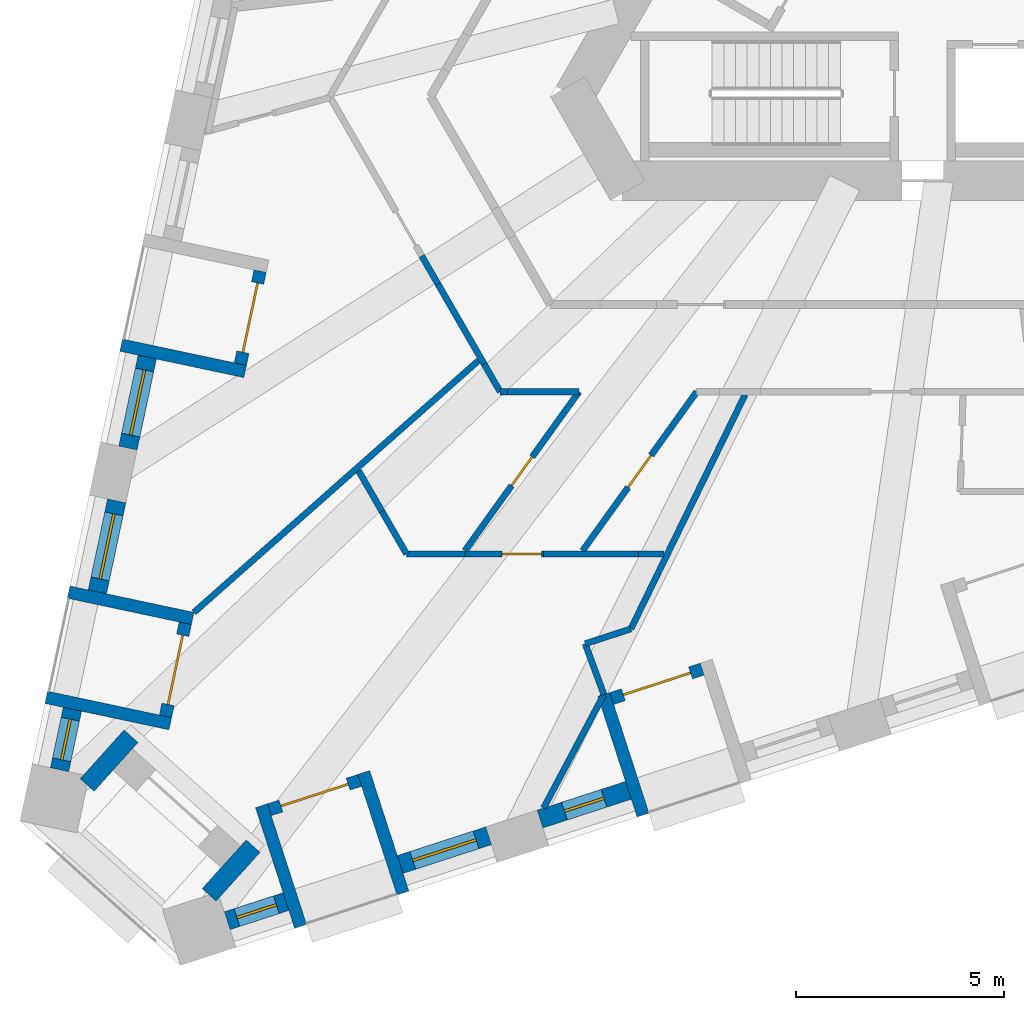
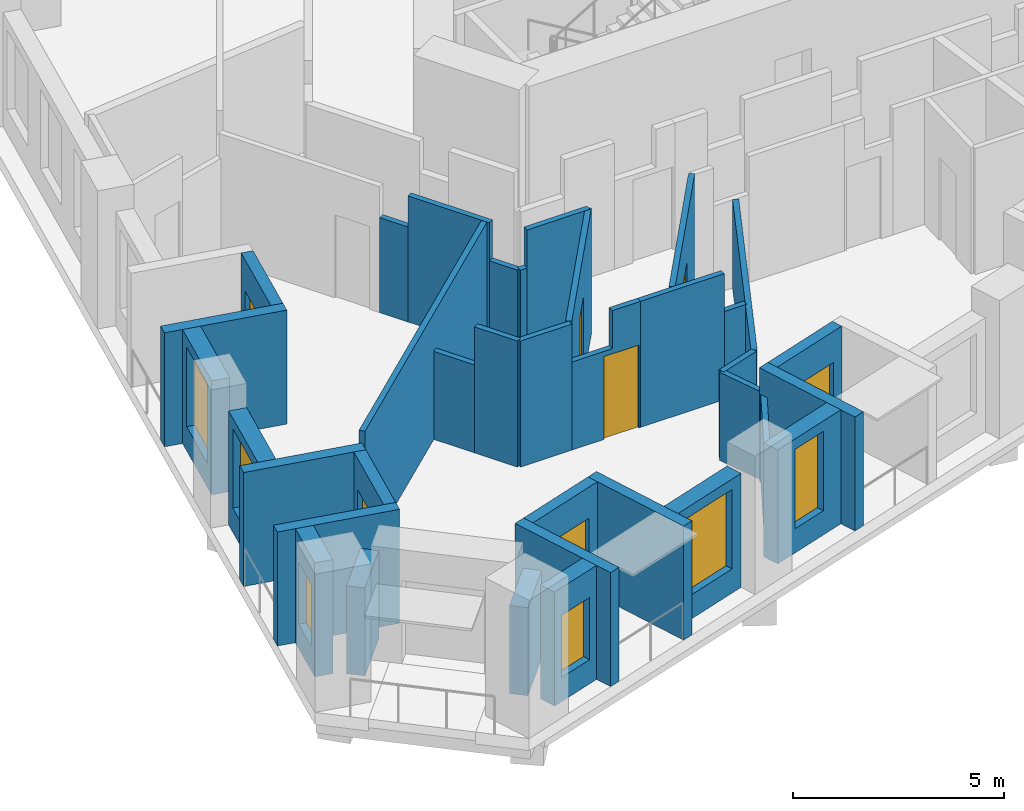
# One storey, part 2 of 13: 36 walls, 7 doors, 6 windows, 13 openings.
"""IFC4 building model written with IfcOpenShell, lengths in metres."""

from ifc_helpers import new_model, si_unit, direction, frame, frame_2d, origin, place, context, subcontext, project, spatial, polyline, rectangle, outline, extrude, material, layer, layer_set, type_object, element, fill, save


model = new_model("IFC4")

# Units and contexts
model_context = context("Model", 3, precision=1e-05, world=origin(), true_north=direction((0.0, 1.0)))
body_context = subcontext(model_context, "Body", "Model", "MODEL_VIEW")
ifc_project = project(units=[si_unit("LENGTHUNIT", "METRE"), si_unit("AREAUNIT", "SQUARE_METRE"), si_unit("VOLUMEUNIT", "CUBIC_METRE"), si_unit("PLANEANGLEUNIT", "RADIAN"), si_unit("MASSUNIT", "GRAM", prefix="KILO")], contexts=[model_context])

# Site, building, storey
site_placement = place(None, origin())
site = spatial("IfcSite", under=ifc_project, at=site_placement, CompositionType="ELEMENT")
building_placement = place(site_placement, origin())
building = spatial("IfcBuilding", under=site, at=building_placement, Name="Tramontana Tower", CompositionType="ELEMENT")
storey_placement = place(building_placement, frame((0.0, 0.0, 100.39990234375)))
storey = spatial("IfcBuildingStorey", under=building, at=storey_placement, Name="L22", CompositionType="ELEMENT", Elevation=100.39990234375)

# Wall, opening, window
ifc_material_1 = material(Name="Precast concrete 60 MPa", Category="concrete")
ifc_layer_1 = layer(ifc_material_1, 0.449951171875)
ifc_layer_set_1 = layer_set([ifc_layer_1], Name="Precast concrete 60 MPa, 450 mm")
wall_type_1 = type_object("IfcWallType", Name="EW1 Stone-faced precast wall 450", PredefinedType="SOLIDWALL", material=ifc_layer_set_1)
wall_1_placement = place(storey_placement, frame((-19.947265625, -10.516357421875, 0.0), z_axis=(0.0, 0.0, 1.0), x_axis=(-0.207941001029, -0.978141370197, 0.0)))
wall_1 = element("IfcWall", 1, at=wall_1_placement, inside=storey, type_object=wall_type_1, Name="External wall L22 face 0 bay 5", PredefinedType="SOLIDWALL", context=body_context, shape_type="SweptSolid", body=[
    extrude(rectangle(XDim=2.236572265625, YDim=0.449951171875, at=frame_2d((1.1181640625, 0.0))), origin(), (0.0, 0.0, 1.0), 3.300048828125),
])
opening_1_placement = place(wall_1_placement, frame((0.318359375, 0.0, 0.699951171875)))
opening_1 = element("IfcOpeningElement", 2, at=opening_1_placement, cuts=wall_1, Name="Opening M1", PredefinedType="OPENING", context=body_context, shape_type="SweptSolid", body=[
    extrude(rectangle(XDim=1.60009765625, YDim=2.300048828125, at=frame_2d((0.800048828125, 1.14990234375))), frame((0.0, 0.23486328125, 0.0), z_axis=(0.0, -1.0, 0.0), x_axis=(1.0, 0.0, 0.0)), (0.0, 0.0, 1.0), 0.469970703125),
])
ifc_material_2 = material(Name="Aluminum frame, double glazing unit", Category="aluminium")
window_type_1 = type_object("IfcWindowType", Name="M1 Window 1.6 x 2.3", PartitioningType="SINGLE_PANEL", PredefinedType="WINDOW", material=ifc_material_2)
window_1_placement = place(opening_1_placement, origin())
window_1 = element("IfcWindow", 3, at=window_1_placement, inside=storey, type_object=window_type_1, Name="Window M1 L22 face 0 module 15", OverallHeight=2.300048828125, OverallWidth=1.60009765625, PartitioningType="SINGLE_PANEL", PredefinedType="WINDOW", context=body_context, shape_type="SweptSolid", body=[
    extrude(rectangle(XDim=1.60009765625, YDim=2.300048828125, at=frame_2d((0.800048828125, 1.14990234375))), frame((0.0, 0.030029296875, 0.0), z_axis=(0.0, -1.0, 0.0), x_axis=(1.0, 0.0, 0.0)), (0.0, 0.0, 1.0), 0.06005859375),
])
fill(opening_1, window_1)

wall_2_placement = place(storey_placement, frame((-20.6826171875, -13.975830078125, 0.0), z_axis=(0.0, 0.0, 1.0), x_axis=(-0.207941001029, -0.978141370197, 0.0)))
wall_2 = element("IfcWall", 4, at=wall_2_placement, inside=storey, type_object=wall_type_1, Name="External wall L22 face 0 bay 6", PredefinedType="SOLIDWALL", context=body_context, shape_type="SweptSolid", body=[
    extrude(rectangle(XDim=2.236572265625, YDim=0.449951171875, at=frame_2d((1.1181640625, 0.0))), origin(), (0.0, 0.0, 1.0), 3.300048828125),
])
opening_2_placement = place(wall_2_placement, frame((0.318359375, 0.0, 0.699951171875)))
opening_2 = element("IfcOpeningElement", 5, at=opening_2_placement, cuts=wall_2, Name="Opening M1", PredefinedType="OPENING", context=body_context, shape_type="SweptSolid", body=[
    extrude(rectangle(XDim=1.60009765625, YDim=2.300048828125, at=frame_2d((0.800048828125, 1.14990234375))), frame((0.0, 0.23486328125, 0.0), z_axis=(0.0, -1.0, 0.0), x_axis=(1.0, 0.0, 0.0)), (0.0, 0.0, 1.0), 0.469970703125),
])
window_2_placement = place(opening_2_placement, origin())
window_2 = element("IfcWindow", 6, at=window_2_placement, inside=storey, type_object=window_type_1, Name="Window M1 L22 face 0 module 16", OverallHeight=2.300048828125, OverallWidth=1.60009765625, PartitioningType="SINGLE_PANEL", PredefinedType="WINDOW", context=body_context, shape_type="SweptSolid", body=[
    extrude(rectangle(XDim=1.60009765625, YDim=2.300048828125, at=frame_2d((0.800048828125, 1.14990234375))), frame((0.0, 0.030029296875, 0.0), z_axis=(0.0, -1.0, 0.0), x_axis=(1.0, 0.0, 0.0)), (0.0, 0.0, 1.0), 0.06005859375),
])
fill(opening_2, window_2)

wall_3_placement = place(storey_placement, frame((-21.747802734375, -18.9873046875, 0.0), z_axis=(0.0, 0.0, 1.0), x_axis=(-0.208037456693, -0.978120859921, 0.0)))
wall_3 = element("IfcWall", 7, at=wall_3_placement, inside=storey, type_object=wall_type_1, Name="External wall L22 face 0 bay 6", PredefinedType="SOLIDWALL", context=body_context, shape_type="SweptSolid", body=[
    extrude(rectangle(XDim=1.48681640625, YDim=0.449951171875, at=frame_2d((0.743408203125, 0.0))), origin(), (0.0, 0.0, 1.0), 3.300048828125),
])
opening_3_placement = place(wall_3_placement, frame((0.243408203125, 0.0, 0.699951171875)))
opening_3 = element("IfcOpeningElement", 8, at=opening_3_placement, cuts=wall_3, Name="Opening N1L", PredefinedType="OPENING", context=body_context, shape_type="SweptSolid", body=[
    extrude(rectangle(XDim=1.0, YDim=1.800048828125, at=frame_2d((0.5, 0.89990234375))), frame((0.0, 0.23486328125, 0.0), z_axis=(0.0, -1.0, 0.0), x_axis=(1.0, 0.0, 0.0)), (0.0, 0.0, 1.0), 0.469970703125),
])
ifc_material_3 = material(Name="Aluminum frame, double glazing unit", Category="aluminium")
window_type_2 = type_object("IfcWindowType", Name="N1L Window 1 x 1.8", PartitioningType="SINGLE_PANEL", PredefinedType="WINDOW", material=ifc_material_3)
window_3_placement = place(opening_3_placement, origin())
window_3 = element("IfcWindow", 9, at=window_3_placement, inside=storey, type_object=window_type_2, Name="Window N1L L22 face 0 module 18", OverallHeight=1.800048828125, OverallWidth=1.0, PartitioningType="SINGLE_PANEL", PredefinedType="WINDOW", context=body_context, shape_type="SweptSolid", body=[
    extrude(rectangle(XDim=1.0, YDim=1.800048828125, at=frame_2d((0.5, 0.89990234375))), frame((0.0, 0.030029296875, 0.0), z_axis=(0.0, -1.0, 0.0), x_axis=(1.0, 0.0, 0.0)), (0.0, 0.0, 1.0), 0.06005859375),
])
fill(opening_3, window_3)

wall_4_placement = place(storey_placement, frame((-18.02392578125, -24.072998046875, 0.0), z_axis=(0.0, 0.0, 1.0), x_axis=(0.951037689269, 0.309074931999, 0.0)))
wall_4 = element("IfcWall", 10, at=wall_4_placement, inside=storey, type_object=wall_type_1, Name="External wall L22 face 1 bay 1", PredefinedType="SOLIDWALL", context=body_context, shape_type="SweptSolid", body=[
    extrude(rectangle(XDim=1.486572265625, YDim=0.449951171875, at=frame_2d((0.7431640625, 0.0))), origin(), (0.0, 0.0, 1.0), 3.300048828125),
])
opening_4_placement = place(wall_4_placement, frame((0.243408203125, 0.0, 0.699951171875)))
opening_4 = element("IfcOpeningElement", 11, at=opening_4_placement, cuts=wall_4, Name="Opening N1L", PredefinedType="OPENING", context=body_context, shape_type="SweptSolid", body=[
    extrude(rectangle(XDim=1.0, YDim=1.800048828125, at=frame_2d((0.5, 0.89990234375))), frame((0.0, 0.23486328125, 0.0), z_axis=(0.0, -1.0, 0.0), x_axis=(1.0, 0.0, 0.0)), (0.0, 0.0, 1.0), 0.469970703125),
])
window_4_placement = place(opening_4_placement, origin())
window_4 = element("IfcWindow", 12, at=window_4_placement, inside=storey, type_object=window_type_2, Name="Window N1L L22 face 1 module 1", OverallHeight=1.800048828125, OverallWidth=1.0, PartitioningType="SINGLE_PANEL", PredefinedType="WINDOW", context=body_context, shape_type="SweptSolid", body=[
    extrude(rectangle(XDim=1.0, YDim=1.800048828125, at=frame_2d((0.5, 0.89990234375))), frame((0.0, 0.030029296875, 0.0), z_axis=(0.0, -1.0, 0.0), x_axis=(1.0, 0.0, 0.0)), (0.0, 0.0, 1.0), 0.06005859375),
])
fill(opening_4, window_4)

wall_5_placement = place(storey_placement, frame((-13.864501953125, -22.721435546875, 0.0), z_axis=(0.0, 0.0, 1.0), x_axis=(0.951057328329, 0.30901449518, 0.0)))
wall_5 = element("IfcWall", 13, at=wall_5_placement, inside=storey, type_object=wall_type_1, Name="External wall L22 face 1 bay 1", PredefinedType="SOLIDWALL", context=body_context, shape_type="SweptSolid", body=[
    extrude(rectangle(XDim=2.236572265625, YDim=0.449951171875, at=frame_2d((1.1181640625, 0.0))), origin(), (0.0, 0.0, 1.0), 3.300048828125),
])
opening_5_placement = place(wall_5_placement, frame((0.318359375, 0.0, 0.699951171875)))
opening_5 = element("IfcOpeningElement", 14, at=opening_5_placement, cuts=wall_5, Name="Opening M1", PredefinedType="OPENING", context=body_context, shape_type="SweptSolid", body=[
    extrude(rectangle(XDim=1.60009765625, YDim=2.300048828125, at=frame_2d((0.800048828125, 1.14990234375))), frame((0.0, 0.23486328125, 0.0), z_axis=(0.0, -1.0, 0.0), x_axis=(1.0, 0.0, 0.0)), (0.0, 0.0, 1.0), 0.469970703125),
])
window_5_placement = place(opening_5_placement, origin())
window_5 = element("IfcWindow", 15, at=window_5_placement, inside=storey, type_object=window_type_1, Name="Window M1 L22 face 1 module 3", OverallHeight=2.300048828125, OverallWidth=1.60009765625, PartitioningType="SINGLE_PANEL", PredefinedType="WINDOW", context=body_context, shape_type="SweptSolid", body=[
    extrude(rectangle(XDim=1.60009765625, YDim=2.300048828125, at=frame_2d((0.800048828125, 1.14990234375))), frame((0.0, 0.030029296875, 0.0), z_axis=(0.0, -1.0, 0.0), x_axis=(1.0, 0.0, 0.0)), (0.0, 0.0, 1.0), 0.06005859375),
])
fill(opening_5, window_5)

wall_6_placement = place(storey_placement, frame((-10.5009765625, -21.62841796875, 0.0), z_axis=(0.0, 0.0, 1.0), x_axis=(0.951067749801, 0.30898241906, 0.0)))
wall_6 = element("IfcWall", 16, at=wall_6_placement, inside=storey, type_object=wall_type_1, Name="External wall L22 face 1 bay 2", PredefinedType="SOLIDWALL", context=body_context, shape_type="SweptSolid", body=[
    extrude(rectangle(XDim=2.23681640625, YDim=0.449951171875, at=frame_2d((1.118408203125, 0.0))), origin(), (0.0, 0.0, 1.0), 3.300048828125),
])
opening_6_placement = place(wall_6_placement, frame((0.618408203125, 0.0, 0.699951171875)))
opening_6 = element("IfcOpeningElement", 17, at=opening_6_placement, cuts=wall_6, Name="Opening N1", PredefinedType="OPENING", context=body_context, shape_type="SweptSolid", body=[
    extrude(rectangle(XDim=1.0, YDim=2.300048828125, at=frame_2d((0.5, 1.14990234375))), frame((0.0, 0.23486328125, 0.0), z_axis=(0.0, -1.0, 0.0), x_axis=(1.0, 0.0, 0.0)), (0.0, 0.0, 1.0), 0.469970703125),
])
ifc_material_4 = material(Name="Aluminum frame, double glazing unit", Category="aluminium")
window_type_3 = type_object("IfcWindowType", Name="N1 Window 1 x 2.3", PartitioningType="SINGLE_PANEL", PredefinedType="WINDOW", material=ifc_material_4)
window_6_placement = place(opening_6_placement, origin())
window_6 = element("IfcWindow", 18, at=window_6_placement, inside=storey, type_object=window_type_3, Name="Window N1 L22 face 1 module 4", OverallHeight=2.300048828125, OverallWidth=1.0, PartitioningType="SINGLE_PANEL", PredefinedType="WINDOW", context=body_context, shape_type="SweptSolid", body=[
    extrude(rectangle(XDim=1.0, YDim=2.300048828125, at=frame_2d((0.5, 1.14990234375))), frame((0.0, 0.030029296875, 0.0), z_axis=(0.0, -1.0, 0.0), x_axis=(1.0, 0.0, 0.0)), (0.0, 0.0, 1.0), 0.06005859375),
])
fill(opening_6, window_6)

# Walls
for number, where, z_axis, x_axis, name in (
    (19, (-18.45849609375, -23.451904296875, 0.0), (0.0, 0.0, 1.0), (0.669109923521, 0.743163447867, 0.0), "Corner loggia side wall L22 K21l"),
    (20, (-21.393798828125, -20.808837890625, 0.0), (0.0, 0.0, 1.0), (0.669109923521, 0.743163447867, 0.0), "Corner loggia side wall L22 K21r"),
):
    element("IfcWall", number, at=place(storey_placement, frame(where, z_axis=z_axis, x_axis=x_axis)), inside=storey, type_object=wall_type_1, Name=name, PredefinedType="SOLIDWALL", context=body_context, shape_type="SweptSolid", body=[
        extrude(rectangle(XDim=1.5791015625, YDim=0.449951171875, at=frame_2d((0.78955078125, 0.0))), origin(), (0.0, 0.0, 1.0), 2.550048828125),
    ])

# Wall, opening, door
ifc_material_5 = material(Name="Precast concrete 60 MPa", Category="concrete")
ifc_layer_2 = layer(ifc_material_5, 0.300048828125)
ifc_layer_set_2 = layer_set([ifc_layer_2], Name="LW1 Stone-faced loggia wall 300")
wall_type_2 = type_object("IfcWallType", Name="LW1 Stone-faced loggia wall 300", PredefinedType="SOLIDWALL", material=ifc_layer_set_2)
wall_7_placement = place(storey_placement, frame((-17.233154296875, -8.44873046875, 0.0), z_axis=(0.0, 0.0, 1.0), x_axis=(-0.207866417042, -0.978157222877, 0.0)))
wall_7 = element("IfcWall", 21, at=wall_7_placement, inside=storey, type_object=wall_type_2, Name="Loggia wall L22 G2S0.13", PredefinedType="SOLIDWALL", context=body_context, shape_type="SweptSolid", body=[
    extrude(rectangle(XDim=2.286865234375, YDim=0.300048828125, at=frame_2d((1.1435546875, 0.0))), origin(), (0.0, 0.0, 1.0), 3.300048828125),
])
opening_7_placement = place(wall_7_placement, frame((0.29345703125, 0.0, 0.0)))
opening_7 = element("IfcOpeningElement", 22, at=opening_7_placement, cuts=wall_7, Name="Opening BD-2S0-13", PredefinedType="OPENING", context=body_context, shape_type="SweptSolid", body=[
    extrude(rectangle(XDim=1.699951171875, YDim=2.39990234375, at=frame_2d((0.85009765625, 1.199951171875))), frame((0.0, 0.159912109375, 0.0), z_axis=(0.0, -1.0, 0.0), x_axis=(1.0, 0.0, 0.0)), (0.0, 0.0, 1.0), 0.320068359375),
])
ifc_material_6 = material(Name="Aluminum frame, double glazing unit", Category="aluminium")
door_type_1 = type_object("IfcDoorType", Name="BD1 Sliding door 1.7 x 2.4", OperationType="SLIDING_TO_LEFT", PredefinedType="DOOR", material=ifc_material_6)
door_1_placement = place(opening_7_placement, origin())
door_1 = element("IfcDoor", 23, at=door_1_placement, inside=storey, type_object=door_type_1, Name="Loggia door L22 G2S0.13", OperationType="SLIDING_TO_LEFT", OverallHeight=2.39990234375, OverallWidth=1.699951171875, PredefinedType="DOOR", context=body_context, shape_type="SweptSolid", body=[
    extrude(rectangle(XDim=1.699951171875, YDim=2.39990234375, at=frame_2d((0.85009765625, 1.199951171875))), frame((0.0, 0.02490234375, 0.0), z_axis=(0.0, -1.0, 0.0), x_axis=(1.0, 0.0, 0.0)), (0.0, 0.0, 1.0), 0.050048828125),
])
fill(opening_7, door_1)

# Wall
wall_8_placement = place(storey_placement, frame((-20.576416015625, -10.229248046875, 0.0), z_axis=(0.0, 0.0, 1.0), x_axis=(0.978154782045, -0.207877902534, 0.0)))
element("IfcWall", 24, at=wall_8_placement, inside=storey, type_object=wall_type_2, Name="Loggia return L22 G2S0.13b", PredefinedType="SOLIDWALL", context=body_context, shape_type="SweptSolid", body=[
    extrude(rectangle(XDim=3.050048828125, YDim=0.300048828125, at=frame_2d((1.52490234375, 0.0))), origin(), (0.0, 0.0, 1.0), 3.300048828125),
])

# Wall, opening, door
wall_9_placement = place(storey_placement, frame((-19.03369140625, -16.919677734375, 0.0), z_axis=(0.0, 0.0, 1.0), x_axis=(-0.207968563016, -0.978135510447, 0.0)))
wall_9 = element("IfcWall", 25, at=wall_9_placement, inside=storey, type_object=wall_type_2, Name="Loggia wall L22 G2S0.16", PredefinedType="SOLIDWALL", context=body_context, shape_type="SweptSolid", body=[
    extrude(rectangle(XDim=2.286865234375, YDim=0.300048828125, at=frame_2d((1.1435546875, 0.0))), origin(), (0.0, 0.0, 1.0), 3.300048828125),
])
opening_8_placement = place(wall_9_placement, frame((0.29345703125, 0.0, 0.0)))
opening_8 = element("IfcOpeningElement", 26, at=opening_8_placement, cuts=wall_9, Name="Opening BD-2S0-16", PredefinedType="OPENING", context=body_context, shape_type="SweptSolid", body=[
    extrude(rectangle(XDim=1.699951171875, YDim=2.39990234375, at=frame_2d((0.85009765625, 1.199951171875))), frame((0.0, 0.159912109375, 0.0), z_axis=(0.0, -1.0, 0.0), x_axis=(1.0, 0.0, 0.0)), (0.0, 0.0, 1.0), 0.320068359375),
])
door_2_placement = place(opening_8_placement, origin())
door_2 = element("IfcDoor", 27, at=door_2_placement, inside=storey, type_object=door_type_1, Name="Loggia door L22 G2S0.16", OperationType="SLIDING_TO_LEFT", OverallHeight=2.39990234375, OverallWidth=1.699951171875, PredefinedType="DOOR", context=body_context, shape_type="SweptSolid", body=[
    extrude(rectangle(XDim=1.699951171875, YDim=2.39990234375, at=frame_2d((0.85009765625, 1.199951171875))), frame((0.0, 0.02490234375, 0.0), z_axis=(0.0, -1.0, 0.0), x_axis=(1.0, 0.0, 0.0)), (0.0, 0.0, 1.0), 0.050048828125),
])
fill(opening_8, door_2)

# Walls
for number, where, z_axis, x_axis, name in (
    (28, (-21.839111328125, -16.169921875, 0.0), (0.0, 0.0, 1.0), (0.978138503145, -0.207954487003, 0.0), "Loggia return L22 G2S0.16a"),
    (29, (-22.376953125, -18.7001953125, 0.0), (0.0, 0.0, 1.0), (0.978154782045, -0.207877902534, 0.0), "Loggia return L22 G2S0.16b"),
):
    element("IfcWall", number, at=place(storey_placement, frame(where, z_axis=z_axis, x_axis=x_axis)), inside=storey, type_object=wall_type_2, Name=name, PredefinedType="SOLIDWALL", context=body_context, shape_type="SweptSolid", body=[
        extrude(rectangle(XDim=3.050048828125, YDim=0.300048828125, at=frame_2d((1.52490234375, 0.0))), origin(), (0.0, 0.0, 1.0), 3.300048828125),
    ])

# Wall, opening, door
wall_10_placement = place(storey_placement, frame((-17.01220703125, -21.40478515625, 0.0), z_axis=(0.0, 0.0, 1.0), x_axis=(0.95103720697, 0.309076416051, 0.0)))
wall_10 = element("IfcWall", 30, at=wall_10_placement, inside=storey, type_object=wall_type_2, Name="Loggia wall L22 G2S1.1", PredefinedType="SOLIDWALL", context=body_context, shape_type="SweptSolid", body=[
    extrude(rectangle(XDim=2.286865234375, YDim=0.300048828125, at=frame_2d((1.1435546875, 0.0))), origin(), (0.0, 0.0, 1.0), 3.300048828125),
])
opening_9_placement = place(wall_10_placement, frame((0.29345703125, 0.0, 0.0)))
opening_9 = element("IfcOpeningElement", 31, at=opening_9_placement, cuts=wall_10, Name="Opening BD-2S1-01", PredefinedType="OPENING", context=body_context, shape_type="SweptSolid", body=[
    extrude(rectangle(XDim=1.699951171875, YDim=2.39990234375, at=frame_2d((0.85009765625, 1.199951171875))), frame((0.0, 0.159912109375, 0.0), z_axis=(0.0, -1.0, 0.0), x_axis=(1.0, 0.0, 0.0)), (0.0, 0.0, 1.0), 0.320068359375),
])
door_3_placement = place(opening_9_placement, origin())
door_3 = element("IfcDoor", 32, at=door_3_placement, inside=storey, type_object=door_type_1, Name="Loggia door L22 G2S1.1", OperationType="SLIDING_TO_LEFT", OverallHeight=2.39990234375, OverallWidth=1.699951171875, PredefinedType="DOOR", context=body_context, shape_type="SweptSolid", body=[
    extrude(rectangle(XDim=1.699951171875, YDim=2.39990234375, at=frame_2d((0.85009765625, 1.199951171875))), frame((0.0, 0.02490234375, 0.0), z_axis=(0.0, -1.0, 0.0), x_axis=(1.0, 0.0, 0.0)), (0.0, 0.0, 1.0), 0.050048828125),
])
fill(opening_9, door_3)

# Walls
for number, where, z_axis, x_axis, name in (
    (33, (-16.2587890625, -24.209228515625, 0.0), (0.0, 0.0, 1.0), (-0.308966615996, 0.951072883748, 0.0), "Loggia return L22 G2S1.1a"),
    (34, (-13.798583984375, -23.40966796875, 0.0), (0.0, 0.0, 1.0), (-0.309062542235, 0.951041715693, 0.0), "Loggia return L22 G2S1.1b"),
):
    element("IfcWall", number, at=place(storey_placement, frame(where, z_axis=z_axis, x_axis=x_axis)), inside=storey, type_object=wall_type_2, Name=name, PredefinedType="SOLIDWALL", context=body_context, shape_type="SweptSolid", body=[
        extrude(rectangle(XDim=3.050048828125, YDim=0.300048828125, at=frame_2d((1.52490234375, 0.0))), origin(), (0.0, 0.0, 1.0), 3.300048828125),
    ])

# Wall, opening, door
wall_11_placement = place(storey_placement, frame((-8.77587890625, -18.728515625, 0.0), z_axis=(0.0, 0.0, 1.0), x_axis=(0.951068585107, 0.308979847923, 0.0)))
wall_11 = element("IfcWall", 35, at=wall_11_placement, inside=storey, type_object=wall_type_2, Name="Loggia wall L22 G2S1.4", PredefinedType="SOLIDWALL", context=body_context, shape_type="SweptSolid", body=[
    extrude(rectangle(XDim=2.28662109375, YDim=0.300048828125, at=frame_2d((1.143310546875, 0.0))), origin(), (0.0, 0.0, 1.0), 3.300048828125),
])
opening_10_placement = place(wall_11_placement, frame((0.29345703125, 0.0, 0.0)))
opening_10 = element("IfcOpeningElement", 36, at=opening_10_placement, cuts=wall_11, Name="Opening BD-2S1-04", PredefinedType="OPENING", context=body_context, shape_type="SweptSolid", body=[
    extrude(rectangle(XDim=1.699951171875, YDim=2.39990234375, at=frame_2d((0.85009765625, 1.199951171875))), frame((0.0, 0.159912109375, 0.0), z_axis=(0.0, -1.0, 0.0), x_axis=(1.0, 0.0, 0.0)), (0.0, 0.0, 1.0), 0.320068359375),
])
door_4_placement = place(opening_10_placement, origin())
door_4 = element("IfcDoor", 37, at=door_4_placement, inside=storey, type_object=door_type_1, Name="Loggia door L22 G2S1.4", OperationType="SLIDING_TO_LEFT", OverallHeight=2.39990234375, OverallWidth=1.699951171875, PredefinedType="DOOR", context=body_context, shape_type="SweptSolid", body=[
    extrude(rectangle(XDim=1.699951171875, YDim=2.39990234375, at=frame_2d((0.85009765625, 1.199951171875))), frame((0.0, 0.02490234375, 0.0), z_axis=(0.0, -1.0, 0.0), x_axis=(1.0, 0.0, 0.0)), (0.0, 0.0, 1.0), 0.050048828125),
])
fill(opening_10, door_4)

# Walls
wall_12_placement = place(storey_placement, frame((-8.0224609375, -21.532958984375, 0.0), z_axis=(0.0, 0.0, 1.0), x_axis=(-0.308990138358, 0.951065241925, 0.0)))
element("IfcWall", 38, at=wall_12_placement, inside=storey, type_object=wall_type_2, Name="Loggia return L22 G2S1.4a", PredefinedType="SOLIDWALL", context=body_context, shape_type="SweptSolid", body=[
    extrude(rectangle(XDim=3.0498046875, YDim=0.300048828125, at=frame_2d((1.52490234375, 0.0))), origin(), (0.0, 0.0, 1.0), 3.300048828125),
])
ifc_material_7 = material(Name="Gypsum board partition")
ifc_layer_3 = layer(ifc_material_7, 0.14990234375)
ifc_layer_set_3 = layer_set([ifc_layer_3], Name="PARTITION 150")
wall_type_3 = type_object("IfcWallType", Name="PARTITION 150", PredefinedType="PARTITIONING", material=ifc_layer_set_3)
wall_13_placement = place(storey_placement, frame((-18.82470703125, -16.657470703125, 0.0), z_axis=(0.0, 0.0, 1.0), x_axis=(0.748903254117, 0.66267934627, 0.0)))
element("IfcWall", 39, at=wall_13_placement, inside=storey, type_object=wall_type_3, Name="Wall v21-pw00", PredefinedType="PARTITIONING", context=body_context, shape_type="SweptSolid", body=[
    extrude(rectangle(XDim=9.139892578125, YDim=0.14990234375, at=frame_2d((4.56982421875, 0.0))), origin(), (0.0, 0.0, 1.0), 3.650146484375),
])
wall_14_placement = place(storey_placement, frame((-13.712158203125, -15.25, 0.0), z_axis=(0.0, 0.0, 1.0), x_axis=(-0.499907924584, 0.866078557025, 0.0)))
element("IfcWall", 40, at=wall_14_placement, inside=storey, type_object=wall_type_3, Name="Wall v21-pw05-0", PredefinedType="PARTITIONING", context=body_context, shape_type="SweptSolid", body=[
    extrude(rectangle(XDim=1.177490234375, YDim=0.14990234375, at=frame_2d((0.5888671875, 0.0))), origin(), (0.0, 0.0, 1.0), 3.650146484375),
])
wall_15_placement = place(storey_placement, frame((-14.30078125, -14.230224609375, 0.0), z_axis=(0.0, 0.0, 1.0), x_axis=(-0.500097243556, 0.865969252911, 0.0)))
element("IfcWall", 41, at=wall_15_placement, inside=storey, type_object=wall_type_3, Name="Wall v21-pw05-1", PredefinedType="PARTITIONING", context=body_context, shape_type="SweptSolid", body=[
    extrude(rectangle(XDim=1.127685546875, YDim=0.14990234375, at=frame_2d((0.56396484375, 0.0))), origin(), (0.0, 0.0, 1.0), 2.550048828125),
])

# Wall, opening, door
wall_16_placement = place(storey_placement, frame((-12.30908203125, -15.175048828125, 0.0), z_axis=(0.0, 0.0, 1.0), x_axis=(0.583169058274, 0.812350816749, 0.0)))
wall_16 = element("IfcWall", 42, at=wall_16_placement, inside=storey, type_object=wall_type_3, Name="Wall v21-pw06", PredefinedType="PARTITIONING", context=body_context, shape_type="SweptSolid", body=[
    extrude(rectangle(XDim=4.70849609375, YDim=0.14990234375, at=frame_2d((2.354248046875, 0.0))), origin(), (0.0, 0.0, 1.0), 3.650146484375),
])
opening_11_placement = place(wall_16_placement, frame((1.92919921875, 0.0, 0.0)))
opening_11 = element("IfcOpeningElement", 43, at=opening_11_placement, cuts=wall_16, Name="Opening B2B-11", PredefinedType="OPENING", context=body_context, shape_type="SweptSolid", body=[
    extrude(rectangle(XDim=0.85009765625, YDim=2.39990234375, at=frame_2d((0.425048828125, 1.199951171875))), frame((0.0, 0.0849609375, 0.0), z_axis=(0.0, -1.0, 0.0), x_axis=(1.0, 0.0, 0.0)), (0.0, 0.0, 1.0), 0.169921875),
])
ifc_material_8 = material(Name="Painted timber", Category="wood")
door_type_2 = type_object("IfcDoorType", Name="DOOR BATH 850", OperationType="SINGLE_SWING_LEFT", PredefinedType="DOOR", material=ifc_material_8)
door_5_placement = place(opening_11_placement, origin())
door_5 = element("IfcDoor", 44, at=door_5_placement, inside=storey, type_object=door_type_2, Name="Door B2B-11", OperationType="SINGLE_SWING_LEFT", OverallHeight=2.39990234375, OverallWidth=0.85009765625, PredefinedType="DOOR", context=body_context, shape_type="SweptSolid", body=[
    extrude(rectangle(XDim=0.85009765625, YDim=2.39990234375, at=frame_2d((0.425048828125, 1.199951171875))), frame((0.0, 0.02490234375, 0.0), z_axis=(0.0, -1.0, 0.0), x_axis=(1.0, 0.0, 0.0)), (0.0, 0.0, 1.0), 0.050048828125),
])
fill(opening_11, door_5)

# Walls
wall_17_placement = place(storey_placement, frame((-11.46044921875, -11.35009765625, 0.0), z_axis=(0.0, 0.0, 1.0), x_axis=(-0.49974986996, 0.866169768276, 0.0)))
element("IfcWall", 45, at=wall_17_placement, inside=storey, type_object=wall_type_3, Name="Wall v21-pw12-0", PredefinedType="PARTITIONING", context=body_context, shape_type="SweptSolid", body=[
    extrude(rectangle(XDim=0.77099609375, YDim=0.14990234375, at=frame_2d((0.385498046875, 0.0))), origin(), (0.0, 0.0, 1.0), 2.550048828125),
])
wall_18_placement = place(storey_placement, frame((-11.845703125, -10.682373046875, 0.0), z_axis=(0.0, 0.0, 1.0), x_axis=(-0.500067425712, 0.865986472032, 0.0)))
element("IfcWall", 46, at=wall_18_placement, inside=storey, type_object=wall_type_3, Name="Wall v21-pw12-1", PredefinedType="PARTITIONING", context=body_context, shape_type="SweptSolid", body=[
    extrude(rectangle(XDim=2.225830078125, YDim=0.14990234375, at=frame_2d((1.11279296875, 0.0))), origin(), (0.0, 0.0, 1.0), 3.650146484375),
])
wall_19_placement = place(storey_placement, frame((-12.958740234375, -8.7548828125, 0.0), z_axis=(0.0, 0.0, 1.0), x_axis=(-0.500031167255, 0.866007408613, 0.0)))
element("IfcWall", 47, at=wall_19_placement, inside=storey, type_object=wall_type_3, Name="Wall v21-pw12-2", PredefinedType="PARTITIONING", context=body_context, shape_type="SweptSolid", body=[
    extrude(rectangle(XDim=0.77587890625, YDim=0.14990234375, at=frame_2d((0.387939453125, 0.0))), origin(), (0.0, 0.0, 1.0), 2.75),
])
wall_20_placement = place(storey_placement, frame((-9.563232421875, -11.35009765625, 0.0), z_axis=(0.0, 0.0, 1.0), x_axis=(-1.0, 0.0, 0.0)))
element("IfcWall", 48, at=wall_20_placement, inside=storey, type_object=wall_type_3, Name="Wall v21-pw16-0", PredefinedType="PARTITIONING", context=body_context, shape_type="SweptSolid", body=[
    extrude(rectangle(XDim=1.71484375, YDim=0.14990234375, at=frame_2d((0.857421875, 0.0))), origin(), (0.0, 0.0, 1.0), 3.650146484375),
])
wall_21_placement = place(storey_placement, frame((-11.278076171875, -11.35009765625, 0.0), z_axis=(0.0, 0.0, 1.0), x_axis=(-1.0, 0.0, 0.0)))
element("IfcWall", 49, at=wall_21_placement, inside=storey, type_object=wall_type_3, Name="Wall v21-pw16-1", PredefinedType="PARTITIONING", context=body_context, shape_type="SweptSolid", body=[
    extrude(rectangle(XDim=0.182373046875, YDim=0.14990234375, at=frame_2d((0.09130859375, 0.0))), origin(), (0.0, 0.0, 1.0), 2.550048828125),
])
wall_22_placement = place(storey_placement, frame((-9.413818359375, -17.4130859375, 0.0), z_axis=(0.0, 0.0, 1.0), x_axis=(0.345557322038, -0.938397643425, 0.0)))
element("IfcWall", 50, at=wall_22_placement, inside=storey, type_object=wall_type_3, Name="Wall v21-pw19-0", PredefinedType="PARTITIONING", context=body_context, shape_type="SweptSolid", body=[
    extrude(rectangle(XDim=1.29931640625, YDim=0.14990234375, at=frame_2d((0.649658203125, 0.0))), origin(), (0.0, 0.0, 1.0), 2.550048828125),
])
wall_23_placement = place(storey_placement, frame((-8.96484375, -18.63232421875, 0.0), z_axis=(0.0, 0.0, 1.0), x_axis=(-0.469355189183, -0.883009459965, 0.0)))
element("IfcWall", 51, at=wall_23_placement, inside=storey, type_object=wall_type_3, Name="Wall v21-pw20-0", PredefinedType="PARTITIONING", context=body_context, shape_type="SweptSolid", body=[
    extrude(rectangle(XDim=3.094482421875, YDim=0.14990234375, at=frame_2d((1.54736328125, 0.0))), origin(), (0.0, 0.0, 1.0), 2.550048828125),
])
wall_24_placement = place(storey_placement, frame((-8.3154296875, -17.05419921875, 0.0), z_axis=(0.0, 0.0, 1.0), x_axis=(-0.951068277926, -0.308980793452, 0.0)))
element("IfcWall", 52, at=wall_24_placement, inside=storey, type_object=wall_type_3, Name="Wall v21-pw21-0", PredefinedType="PARTITIONING", context=body_context, shape_type="SweptSolid", body=[
    extrude(rectangle(XDim=1.153564453125, YDim=0.14990234375, at=frame_2d((0.57666015625, 0.0))), origin(), (0.0, 0.0, 1.0), 2.550048828125),
])
wall_25_placement = place(storey_placement, frame((-7.519287109375, -15.25, 0.0), z_axis=(0.0, 0.0, 1.0), x_axis=(-1.0, 0.0, 0.0)))
element("IfcWall", 53, at=wall_25_placement, inside=storey, type_object=wall_type_3, Name="Wall v21-pw22-0", PredefinedType="PARTITIONING", context=body_context, shape_type="SweptSolid", body=[
    extrude(rectangle(XDim=0.6142578125, YDim=0.14990234375, at=frame_2d((0.30712890625, 0.0))), origin(), (0.0, 0.0, 1.0), 2.550048828125),
])
wall_26_placement = place(storey_placement, frame((-8.133544921875, -15.25, 0.0), z_axis=(0.0, 0.0, 1.0), x_axis=(-1.0, 0.0, 0.0)))
element("IfcWall", 54, at=wall_26_placement, inside=storey, type_object=wall_type_3, Name="Wall v21-pw22-1", PredefinedType="PARTITIONING", context=body_context, shape_type="SweptSolid", body=[
    extrude(rectangle(XDim=2.28759765625, YDim=0.14990234375, at=frame_2d((1.143798828125, 0.0))), origin(), (0.0, 0.0, 1.0), 3.650146484375),
])

# Wall, opening, door
wall_27_placement = place(storey_placement, frame((-10.421142578125, -15.25, 0.0), z_axis=(0.0, 0.0, 1.0), x_axis=(-1.0, 0.0, 0.0)))
wall_27 = element("IfcWall", 55, at=wall_27_placement, inside=storey, type_object=wall_type_3, Name="Wall v21-pw22-2", PredefinedType="PARTITIONING", context=body_context, shape_type="SweptSolid", body=[
    extrude(outline(polyline([(0.0, 0.0), (1.8818359375, 0.0), (1.8818359375, 2.550048828125), (0.777099609375, 2.550048828125), (0.777099609375, 3.650146484375), (0.0, 3.650146484375), (0.0, 0.0)])), frame((0.0, 0.074951171875, 0.0), z_axis=(0.0, -1.0, 0.0), x_axis=(1.0, 0.0, 0.0)), (0.0, 0.0, 1.0), 0.14990234375),
])
opening_12_placement = place(wall_27_placement, frame((0.050048828125, 0.0, 0.0)))
opening_12 = element("IfcOpeningElement", 56, at=opening_12_placement, cuts=wall_27, Name="Opening B2B-12", PredefinedType="OPENING", context=body_context, shape_type="SweptSolid", body=[
    extrude(rectangle(XDim=0.949951171875, YDim=2.39990234375, at=frame_2d((0.47509765625, 1.199951171875))), frame((0.0, 0.0849609375, 0.0), z_axis=(0.0, -1.0, 0.0), x_axis=(1.0, 0.0, 0.0)), (0.0, 0.0, 1.0), 0.169921875),
])
ifc_material_9 = material(Name="Painted timber", Category="wood")
door_type_3 = type_object("IfcDoorType", Name="DOOR ROOM 950", OperationType="SINGLE_SWING_LEFT", PredefinedType="DOOR", material=ifc_material_9)
door_6_placement = place(opening_12_placement, origin())
door_6 = element("IfcDoor", 57, at=door_6_placement, inside=storey, type_object=door_type_3, Name="Door B2B-12", OperationType="SINGLE_SWING_RIGHT", OverallHeight=2.39990234375, OverallWidth=0.949951171875, PredefinedType="DOOR", context=body_context, shape_type="SweptSolid", body=[
    extrude(rectangle(XDim=0.949951171875, YDim=2.39990234375, at=frame_2d((0.47509765625, 1.199951171875))), frame((0.0, 0.02490234375, 0.0), z_axis=(0.0, -1.0, 0.0), x_axis=(1.0, 0.0, 0.0)), (0.0, 0.0, 1.0), 0.050048828125),
])
fill(opening_12, door_6)

# Wall
wall_28_placement = place(storey_placement, frame((-12.302978515625, -15.25, 0.0), z_axis=(0.0, 0.0, 1.0), x_axis=(-1.0, 0.0, 0.0)))
element("IfcWall", 58, at=wall_28_placement, inside=storey, type_object=wall_type_3, Name="Wall v21-pw22-3", PredefinedType="PARTITIONING", context=body_context, shape_type="SweptSolid", body=[
    extrude(rectangle(XDim=1.4091796875, YDim=0.14990234375, at=frame_2d((0.70458984375, 0.0))), origin(), (0.0, 0.0, 1.0), 3.650146484375),
])

# Wall, opening, door
wall_29_placement = place(storey_placement, frame((-6.73193359375, -11.35009765625, 0.0), z_axis=(0.0, 0.0, 1.0), x_axis=(-0.583169058274, -0.812350816749, 0.0)))
wall_29 = element("IfcWall", 59, at=wall_29_placement, inside=storey, type_object=wall_type_3, Name="Wall v21-pw25", PredefinedType="PARTITIONING", context=body_context, shape_type="SweptSolid", body=[
    extrude(rectangle(XDim=4.70849609375, YDim=0.14990234375, at=frame_2d((2.354248046875, 0.0))), origin(), (0.0, 0.0, 1.0), 3.650146484375),
])
opening_13_placement = place(wall_29_placement, frame((1.879150390625, 0.0, 0.0)))
opening_13 = element("IfcOpeningElement", 60, at=opening_13_placement, cuts=wall_29, Name="Opening B2B-10", PredefinedType="OPENING", context=body_context, shape_type="SweptSolid", body=[
    extrude(rectangle(XDim=0.949951171875, YDim=2.39990234375, at=frame_2d((0.47509765625, 1.199951171875))), frame((0.0, 0.0849609375, 0.0), z_axis=(0.0, -1.0, 0.0), x_axis=(1.0, 0.0, 0.0)), (0.0, 0.0, 1.0), 0.169921875),
])
door_7_placement = place(opening_13_placement, origin())
door_7 = element("IfcDoor", 61, at=door_7_placement, inside=storey, type_object=door_type_3, Name="Door B2B-10", OperationType="SINGLE_SWING_RIGHT", OverallHeight=2.39990234375, OverallWidth=0.949951171875, PredefinedType="DOOR", context=body_context, shape_type="SweptSolid", body=[
    extrude(rectangle(XDim=0.949951171875, YDim=2.39990234375, at=frame_2d((0.47509765625, 1.199951171875))), frame((0.0, 0.02490234375, 0.0), z_axis=(0.0, -1.0, 0.0), x_axis=(1.0, 0.0, 0.0)), (0.0, 0.0, 1.0), 0.050048828125),
])
fill(opening_13, door_7)

# Wall
wall_30_placement = place(storey_placement, frame((-5.57080078125, -11.425048828125, 0.0), z_axis=(0.0, 0.0, 1.0), x_axis=(-0.438271544149, -0.898842618921, 0.0)))
element("IfcWall", 62, at=wall_30_placement, inside=storey, type_object=wall_type_3, Name="Wall v21-pw28-0", PredefinedType="PARTITIONING", context=body_context, shape_type="SweptSolid", body=[
    extrude(rectangle(XDim=6.262451171875, YDim=0.14990234375, at=frame_2d((3.13134765625, 0.0))), origin(), (0.0, 0.0, 1.0), 2.550048828125),
])

save(model, "model.ifc")
